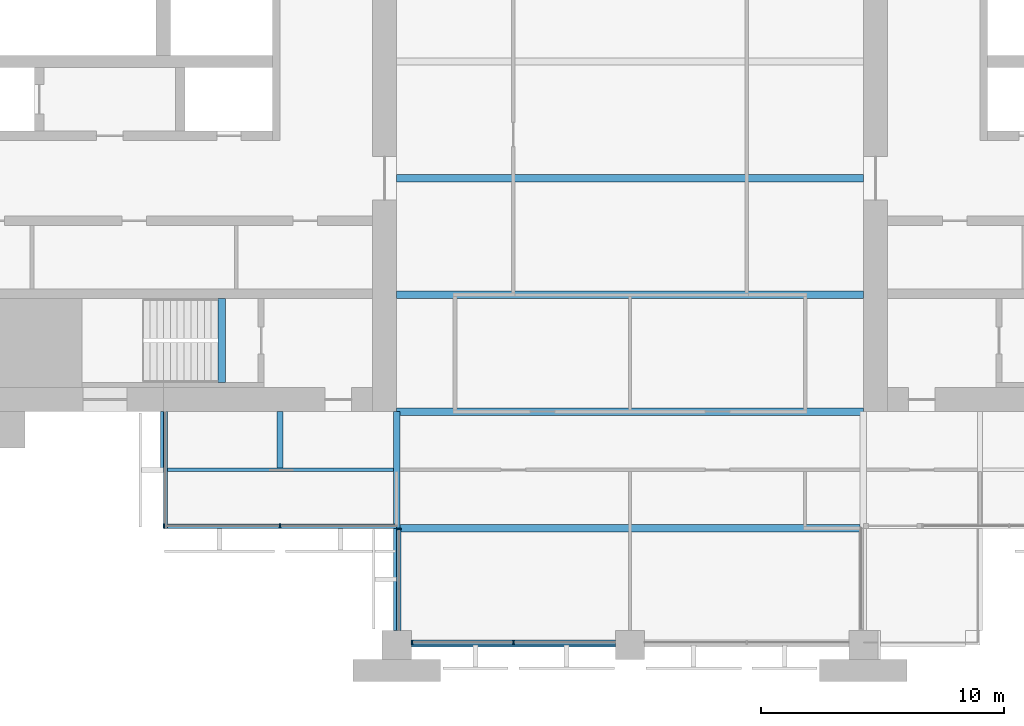
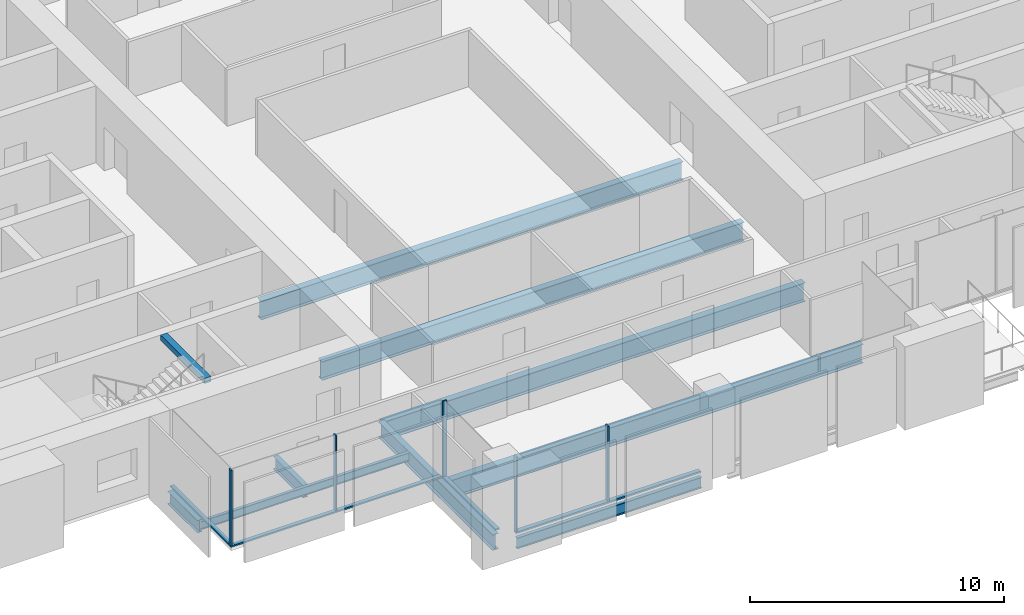
# One storey, part 2 of 13: 10 beams, 9 members, 4 elements without a shape of their own.
"""IFC4 building model written with IfcOpenShell, lengths in metres."""

from ifc_helpers import new_model, si_unit, direction, frame, origin, origin_2d, place, context, subcontext, project, spatial, rectangle, i_section, extrude, material, material_profile, profile_set, type_object, element, aggregate, save


model = new_model("IFC4")

# Units and contexts
model_context = context("Model", 3, precision=1e-05, world=origin(), true_north=direction((0.0, 1.0)))
body_context = subcontext(model_context, "Body", "Model", "MODEL_VIEW")
ifc_project = project(units=[si_unit("LENGTHUNIT", "METRE"), si_unit("AREAUNIT", "SQUARE_METRE"), si_unit("VOLUMEUNIT", "CUBIC_METRE"), si_unit("PLANEANGLEUNIT", "RADIAN"), si_unit("MASSUNIT", "GRAM", prefix="KILO")], contexts=[model_context])

# Site, building, storey
site_placement = place(None, origin())
site = spatial("IfcSite", under=ifc_project, at=site_placement, CompositionType="ELEMENT")
building_placement = place(site_placement, origin())
building = spatial("IfcBuilding", under=site, at=building_placement, Name="Baori Bourse Tower", CompositionType="ELEMENT")
storey_placement = place(building_placement, frame((0.0, 0.0, 172.10009765625)))
storey = spatial("IfcBuildingStorey", under=building, at=storey_placement, Name="L38", CompositionType="ELEMENT", Elevation=172.10009765625)

# Curtain wall, members
ifc_material_1 = material(Name="Pale anodised aluminium", Category="aluminium")
curtain_wall_type_1 = type_object("IfcCurtainWallType", Name="CW1 Curtain wall", PredefinedType="NOTDEFINED", material=ifc_material_1)
curtain_wall_1_placement = place(storey_placement, origin())
curtain_wall_1 = element("IfcCurtainWall", 1, at=curtain_wall_1_placement, inside=storey, type_object=curtain_wall_type_1, Name="Curtain wall CW1 L38 11", PredefinedType="NOTDEFINED")
ifc_material_2 = material(Name="Pale anodised aluminium", Category="aluminium")
ifc_material_profile_1 = material_profile(ifc_material_2, rectangle(XDim=0.199951171875, YDim=0.06005859375, at=origin_2d()), Name="Mullion 60x200")
ifc_profile_set_1 = profile_set([ifc_material_profile_1], Name="Pale anodised aluminium")
member_type_1 = type_object("IfcMemberType", Name="CW1 Curtain wall mullion", PredefinedType="MULLION", material=ifc_profile_set_1)
member_1_placement = place(storey_placement, frame((19.830078125, 0.10009765625, 0.079833984375), z_axis=(0.0, 0.0, 1.0), x_axis=(0.0, 1.0, 0.0)))
member_1 = element("IfcMember", 2, at=member_1_placement, type_object=member_type_1, Name="Curtain wall CW1 mullion", PredefinedType="MULLION", context=body_context, shape_type="SweptSolid", body=[
    extrude(rectangle(XDim=0.199951171875, YDim=0.06005859375, at=origin_2d()), origin(), (0.0, 0.0, 1.0), 3.6201171875),
])
member_2_placement = place(storey_placement, frame((24.0, 0.10009765625, 0.079833984375), z_axis=(0.0, 0.0, 1.0), x_axis=(0.0, 1.0, 0.0)))
member_2 = element("IfcMember", 3, at=member_2_placement, type_object=member_type_1, Name="Curtain wall CW1 mullion", PredefinedType="MULLION", context=body_context, shape_type="SweptSolid", body=[
    extrude(rectangle(XDim=0.199951171875, YDim=0.06005859375, at=origin_2d()), origin(), (0.0, 0.0, 1.0), 3.6201171875),
])
ifc_material_3 = material(Name="Pale anodised aluminium", Category="aluminium")
ifc_material_profile_2 = material_profile(ifc_material_3, rectangle(XDim=0.199951171875, YDim=0.080078125, at=origin_2d()), Name="Transom 80x200")
ifc_profile_set_2 = profile_set([ifc_material_profile_2], Name="Pale anodised aluminium")
member_type_2 = type_object("IfcMemberType", Name="CW1 Curtain wall transom", PredefinedType="USERDEFINED", material=ifc_profile_set_2)
member_3_placement = place(storey_placement, frame((19.800048828125, 0.10009765625, 0.039794921875), z_axis=(1.0, 0.0, 0.0), x_axis=(0.0, 1.0, 0.0)))
member_3 = element("IfcMember", 4, at=member_3_placement, type_object=member_type_2, Name="Curtain wall CW1 sill rail", ObjectType="TRANSOM", PredefinedType="USERDEFINED", context=body_context, shape_type="SweptSolid", body=[
    extrude(rectangle(XDim=0.199951171875, YDim=0.080078125, at=origin_2d()), origin(), (0.0, 0.0, 1.0), 8.39990234375),
])
aggregate(curtain_wall_1, [member_3, member_1, member_2])

ifc_material_4 = material(Name="Pale anodised aluminium", Category="aluminium")
curtain_wall_type_2 = type_object("IfcCurtainWallType", Name="CW2 Curtain wall", PredefinedType="NOTDEFINED", material=ifc_material_4)
curtain_wall_2_placement = place(storey_placement, origin())
curtain_wall_2 = element("IfcCurtainWall", 5, at=curtain_wall_2_placement, inside=storey, type_object=curtain_wall_type_2, Name="Curtain wall CW2 L38 9", PredefinedType="NOTDEFINED")
ifc_material_5 = material(Name="Pale anodised aluminium", Category="aluminium")
ifc_material_profile_3 = material_profile(ifc_material_5, rectangle(XDim=0.179931640625, YDim=0.054931640625, at=origin_2d()), Name="Mullion 55x180")
ifc_profile_set_3 = profile_set([ifc_material_profile_3], Name="Pale anodised aluminium")
member_type_3 = type_object("IfcMemberType", Name="CW2 Curtain wall mullion", PredefinedType="MULLION", material=ifc_profile_set_3)
member_4_placement = place(storey_placement, frame((9.62744140625, 4.889892578125, 0.06982421875), z_axis=(0.0, 0.0, 1.0), x_axis=(0.0, 1.0, 0.0)))
member_4 = element("IfcMember", 6, at=member_4_placement, type_object=member_type_3, Name="Curtain wall CW2 mullion", PredefinedType="MULLION", context=body_context, shape_type="SweptSolid", body=[
    extrude(rectangle(XDim=0.179931640625, YDim=0.054931640625, at=origin_2d()), origin(), (0.0, 0.0, 1.0), 3.630126953125),
])
member_5_placement = place(storey_placement, frame((14.39990234375, 4.889892578125, 0.06982421875), z_axis=(0.0, 0.0, 1.0), x_axis=(0.0, 1.0, 0.0)))
member_5 = element("IfcMember", 7, at=member_5_placement, type_object=member_type_3, Name="Curtain wall CW2 mullion", PredefinedType="MULLION", context=body_context, shape_type="SweptSolid", body=[
    extrude(rectangle(XDim=0.179931640625, YDim=0.054931640625, at=origin_2d()), origin(), (0.0, 0.0, 1.0), 3.630126953125),
])

# Curtain wall, member
curtain_wall_3_placement = place(storey_placement, origin())
curtain_wall_3 = element("IfcCurtainWall", 8, at=curtain_wall_3_placement, inside=storey, type_object=curtain_wall_type_2, Name="Curtain wall CW2 L38 10", PredefinedType="NOTDEFINED")
member_6_placement = place(storey_placement, frame((19.2900390625, 4.7724609375, 0.06982421875), z_axis=(0.0, 0.0, 1.0), x_axis=(1.0, 0.0, 0.0)))
member_6 = element("IfcMember", 9, at=member_6_placement, type_object=member_type_3, Name="Curtain wall CW2 mullion", PredefinedType="MULLION", context=body_context, shape_type="SweptSolid", body=[
    extrude(rectangle(XDim=0.179931640625, YDim=0.054931640625, at=origin_2d()), origin(), (0.0, 0.0, 1.0), 3.630126953125),
])

curtain_wall_4_placement = place(storey_placement, origin())
curtain_wall_4 = element("IfcCurtainWall", 10, at=curtain_wall_4_placement, inside=storey, type_object=curtain_wall_type_2, Name="Curtain wall CW2 L38 8", PredefinedType="NOTDEFINED")
ifc_material_6 = material(Name="Pale anodised aluminium", Category="aluminium")
ifc_material_profile_4 = material_profile(ifc_material_6, rectangle(XDim=0.179931640625, YDim=0.070068359375, at=origin_2d()), Name="Transom 70x180")
ifc_profile_set_4 = profile_set([ifc_material_profile_4], Name="Pale anodised aluminium")
member_type_4 = type_object("IfcMemberType", Name="CW2 Curtain wall transom", PredefinedType="USERDEFINED", material=ifc_profile_set_4)
member_7_placement = place(storey_placement, frame((9.68994140625, 9.60009765625, 0.034912109375), z_axis=(0.0, -1.0, 0.0), x_axis=(1.0, 0.0, 0.0)))
member_7 = element("IfcMember", 11, at=member_7_placement, type_object=member_type_4, Name="Curtain wall CW2 sill rail", ObjectType="TRANSOM", PredefinedType="USERDEFINED", context=body_context, shape_type="SweptSolid", body=[
    extrude(rectangle(XDim=0.179931640625, YDim=0.070068359375, at=origin_2d()), origin(), (0.0, 0.0, 1.0), 4.800048828125),
])
aggregate(curtain_wall_4, [member_7])

# Member
member_8_placement = place(storey_placement, frame((9.60009765625, 4.889892578125, 0.034912109375), z_axis=(1.0, 0.0, 0.0), x_axis=(0.0, 1.0, 0.0)))
member_8 = element("IfcMember", 12, at=member_8_placement, type_object=member_type_4, Name="Curtain wall CW2 sill rail", ObjectType="TRANSOM", PredefinedType="USERDEFINED", context=body_context, shape_type="SweptSolid", body=[
    extrude(rectangle(XDim=0.179931640625, YDim=0.070068359375, at=origin_2d()), origin(), (0.0, 0.0, 1.0), 9.599853515625),
])

aggregate(curtain_wall_2, [member_8, member_4, member_5])

member_9_placement = place(storey_placement, frame((19.2900390625, 4.800048828125, 0.034912109375), z_axis=(0.0, -1.0, 0.0), x_axis=(1.0, 0.0, 0.0)))
member_9 = element("IfcMember", 13, at=member_9_placement, type_object=member_type_4, Name="Curtain wall CW2 sill rail", ObjectType="TRANSOM", PredefinedType="USERDEFINED", context=body_context, shape_type="SweptSolid", body=[
    extrude(rectangle(XDim=0.179931640625, YDim=0.070068359375, at=origin_2d()), origin(), (0.0, 0.0, 1.0), 4.199951171875),
])

aggregate(curtain_wall_3, [member_9, member_6])

# Beams
ifc_material_7 = material(Name="Steel A992 Gr 50", Category="steel")
ifc_material_profile_5 = material_profile(ifc_material_7, i_section(OverallWidth=0.227783203125, OverallDepth=0.60205078125, WebThickness=0.010498046875, FlangeThickness=0.014892578125, at=origin_2d()), Name="W24x68")
ifc_profile_set_5 = profile_set([ifc_material_profile_5], Name="Steel A992 Gr 50")
beam_type_1 = type_object("IfcBeamType", Name="Core bracket W24x68", PredefinedType="BEAM", material=ifc_profile_set_5)
for number, where, z_axis, x_axis, name in (
    (14, (9.60009765625, 7.270263671875, -0.461181640625), (0.0, 1.0, 0.0), (-1.0, 0.0, 0.0), "Core bracket L38"),
    (15, (14.39990234375, 7.270263671875, -0.461181640625), (0.0, 1.0, 0.0), (-1.0, 0.0, 0.0), "Core bracket L38"),
):
    element("IfcBeam", number, at=place(storey_placement, frame(where, z_axis=z_axis, x_axis=x_axis)), inside=storey, type_object=beam_type_1, Name=name, PredefinedType="BEAM", context=body_context, shape_type="SweptSolid", body=[
        extrude(i_section(OverallWidth=0.227783203125, OverallDepth=0.60205078125, WebThickness=0.010498046875, FlangeThickness=0.014892578125, at=origin_2d()), origin(), (0.0, 0.0, 1.0), 2.329833984375),
    ])
ifc_material_8 = material(Name="Steel A992 Gr 50", Category="steel")
ifc_material_profile_6 = material_profile(ifc_material_8, i_section(OverallWidth=0.1650390625, OverallDepth=0.52587890625, WebThickness=0.0087890625, FlangeThickness=0.011474609375, at=origin_2d()), Name="W21x44")
ifc_profile_set_6 = profile_set([ifc_material_profile_6], Name="Steel A992 Gr 50")
beam_type_2 = type_object("IfcBeamType", Name="Edge beam W21x44", PredefinedType="BEAM", material=ifc_profile_set_6)
beam_1_placement = place(storey_placement, frame((19.800048828125, 0.0, -0.423095703125), z_axis=(1.0, 0.0, 0.0), x_axis=(0.0, 1.0, 0.0)))
element("IfcBeam", 16, at=beam_1_placement, inside=storey, type_object=beam_type_2, Name="Edge beam L38", PredefinedType="BEAM", context=body_context, shape_type="SweptSolid", body=[
    extrude(i_section(OverallWidth=0.1650390625, OverallDepth=0.52587890625, WebThickness=0.0087890625, FlangeThickness=0.011474609375, at=origin_2d()), origin(), (0.0, 0.0, 1.0), 8.39990234375),
])
ifc_material_9 = material(Name="Steel A992 Gr 50", Category="steel")
ifc_material_profile_7 = material_profile(ifc_material_9, i_section(OverallWidth=0.3046875, OverallDepth=0.904296875, WebThickness=0.01513671875, FlangeThickness=0.02001953125, at=origin_2d()), Name="W36x135")
ifc_profile_set_7 = profile_set([ifc_material_profile_7], Name="Steel A992 Gr 50")
beam_type_3 = type_object("IfcBeamType", Name="Floor beam W36x135", PredefinedType="BEAM", material=ifc_profile_set_7)
beam_2_placement = place(storey_placement, frame((19.333251953125, 4.800048828125, -0.6123046875), z_axis=(1.0, 0.0, 0.0), x_axis=(0.0, 1.0, 0.0)))
element("IfcBeam", 17, at=beam_2_placement, inside=storey, type_object=beam_type_3, Name="Floor beam L38", PredefinedType="BEAM", context=body_context, shape_type="SweptSolid", body=[
    extrude(i_section(OverallWidth=0.3046875, OverallDepth=0.904296875, WebThickness=0.01513671875, FlangeThickness=0.02001953125, at=origin_2d()), origin(), (0.0, 0.0, 1.0), 18.9345703125),
])
for number, where, z_axis, x_axis, name in (
    (18, (19.199951171875, 9.60009765625, -0.6123046875), (1.0, 0.0, 0.0), (0.0, 1.0, 0.0), "Floor beam L38"),
    (19, (19.199951171875, 14.39990234375, -0.6123046875), (1.0, 0.0, 0.0), (0.0, 1.0, 0.0), "Floor beam L38"),
    (20, (19.199951171875, 19.199951171875, -0.6123046875), (1.0, 0.0, 0.0), (0.0, 1.0, 0.0), "Floor beam L38"),
):
    element("IfcBeam", number, at=place(storey_placement, frame(where, z_axis=z_axis, x_axis=x_axis)), inside=storey, type_object=beam_type_3, Name=name, PredefinedType="BEAM", context=body_context, shape_type="SweptSolid", body=[
        extrude(i_section(OverallWidth=0.3046875, OverallDepth=0.904296875, WebThickness=0.01513671875, FlangeThickness=0.02001953125, at=origin_2d()), origin(), (0.0, 0.0, 1.0), 19.199951171875),
    ])
ifc_material_10 = material(Name="Steel A992 Gr 50", Category="steel")
ifc_material_profile_8 = material_profile(ifc_material_10, i_section(OverallWidth=0.2666015625, OverallDepth=0.7568359375, WebThickness=0.013916015625, FlangeThickness=0.019287109375, at=origin_2d()), Name="W30x108")
ifc_profile_set_8 = profile_set([ifc_material_profile_8], Name="Steel A992 Gr 50")
beam_type_4 = type_object("IfcBeamType", Name="Girder W30x108", PredefinedType="BEAM", material=ifc_profile_set_8)
beam_3_placement = place(storey_placement, frame((19.199951171875, 0.60009765625, -0.53857421875), z_axis=(0.0, 1.0, 0.0), x_axis=(-1.0, 0.0, 0.0)))
element("IfcBeam", 21, at=beam_3_placement, inside=storey, type_object=beam_type_4, Name="Girder L38", PredefinedType="BEAM", context=body_context, shape_type="SweptSolid", body=[
    extrude(i_section(OverallWidth=0.2666015625, OverallDepth=0.7568359375, WebThickness=0.013916015625, FlangeThickness=0.019287109375, at=origin_2d()), origin(), (0.0, 0.0, 1.0), 9.0),
])
ifc_material_11 = material(Name="Concrete f'c 50 MPa", Category="concrete")
ifc_material_profile_9 = material_profile(ifc_material_11, rectangle(XDim=0.300048828125, YDim=0.25, at=origin_2d()), Name="RC 300x250")
ifc_profile_set_9 = profile_set([ifc_material_profile_9], Name="Concrete f'c 50 MPa")
beam_type_5 = type_object("IfcBeamType", Name="Stair nib beam RC 300x250", PredefinedType="BEAM", material=ifc_profile_set_9)
beam_4_placement = place(storey_placement, frame((12.0, 10.800048828125, 3.574951171875), z_axis=(0.0, 1.0, 0.0), x_axis=(-1.0, 0.0, 0.0)))
element("IfcBeam", 22, at=beam_4_placement, inside=storey, type_object=beam_type_5, Name="Stair WA nib beam L39", PredefinedType="BEAM", context=body_context, shape_type="SweptSolid", body=[
    extrude(rectangle(XDim=0.300048828125, YDim=0.25, at=origin_2d()), origin(), (0.0, 0.0, 1.0), 3.449951171875),
])
ifc_material_12 = material(Name="Steel A992 Gr 50", Category="steel")
ifc_material_profile_10 = material_profile(ifc_material_12, i_section(OverallWidth=0.140380859375, OverallDepth=0.40380859375, WebThickness=0.007080078125, FlangeThickness=0.01123046875, at=origin_2d()), Name="W16x31")
ifc_profile_set_10 = profile_set([ifc_material_profile_10], Name="Steel A992 Gr 50")
beam_type_6 = type_object("IfcBeamType", Name="Trimmer beam W16x31", PredefinedType="BEAM", material=ifc_profile_set_10)
beam_5_placement = place(storey_placement, frame((9.60009765625, 7.199951171875, -0.362060546875), z_axis=(1.0, 0.0, 0.0), x_axis=(0.0, 1.0, 0.0)))
element("IfcBeam", 23, at=beam_5_placement, inside=storey, type_object=beam_type_6, Name="Trimmer beam L38", PredefinedType="BEAM", context=body_context, shape_type="SweptSolid", body=[
    extrude(i_section(OverallWidth=0.140380859375, OverallDepth=0.40380859375, WebThickness=0.007080078125, FlangeThickness=0.01123046875, at=origin_2d()), origin(), (0.0, 0.0, 1.0), 9.466552734375),
])

save(model, "model.ifc")
